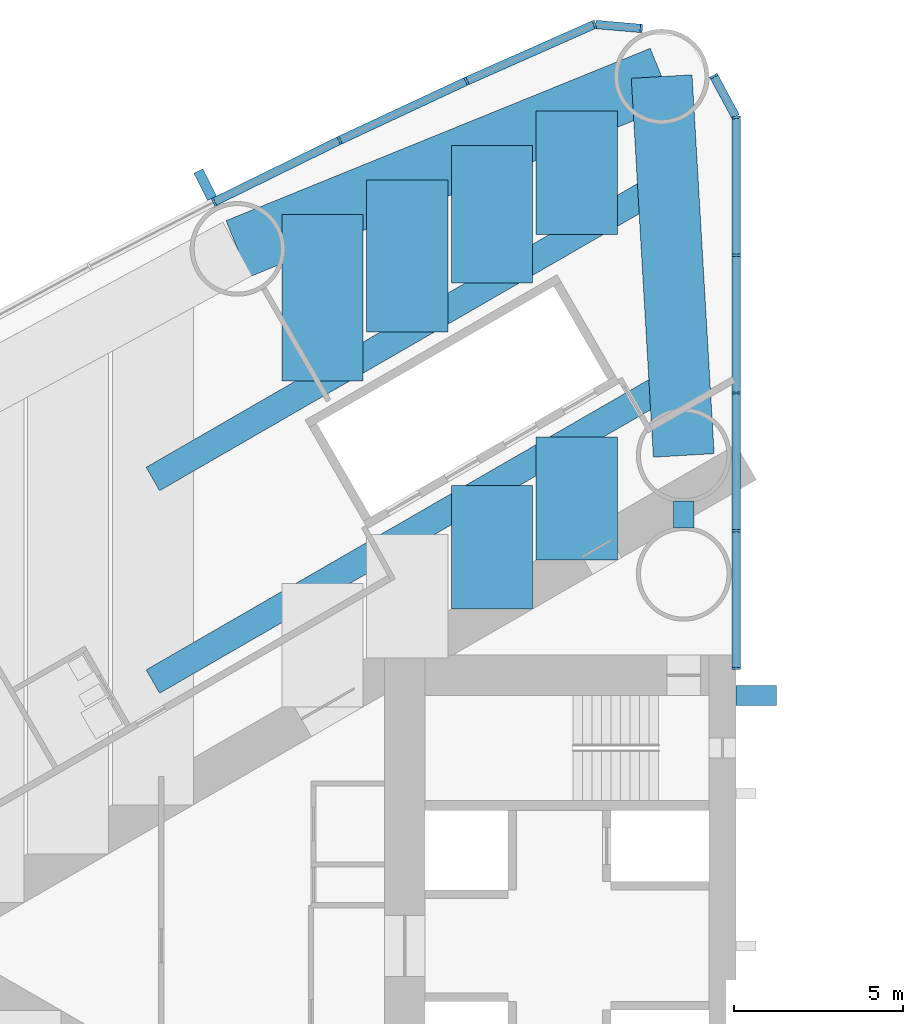
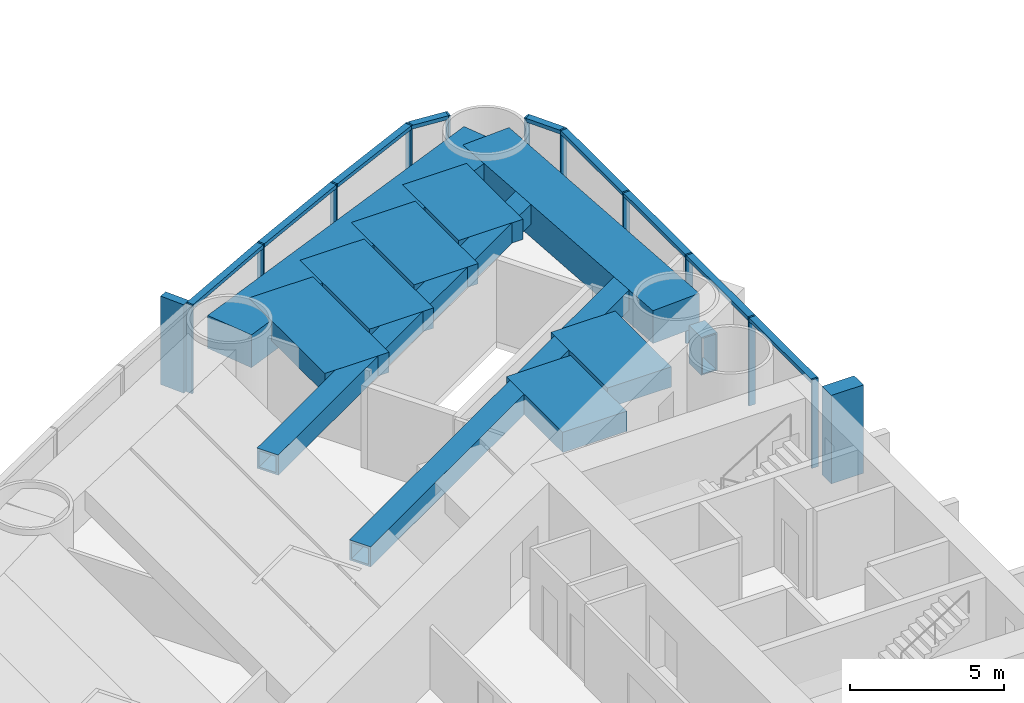
# One storey, part 5 of 18: 22 members, 11 beams, 2 elements without a shape of their own.
"""IFC4 building model written with IfcOpenShell, lengths in metres."""

from ifc_helpers import new_model, si_unit, direction, frame, origin, origin_2d, place, context, subcontext, project, spatial, rectangle, hollow_rectangle, extrude, material, material_profile, profile_set, type_object, element, aggregate, save


model = new_model("IFC4")

# Units and contexts
model_context = context("Model", 3, precision=1e-05, world=origin(), true_north=direction((0.0, 1.0)))
body_context = subcontext(model_context, "Body", "Model", "MODEL_VIEW")
ifc_project = project(units=[si_unit("LENGTHUNIT", "METRE"), si_unit("AREAUNIT", "SQUARE_METRE"), si_unit("VOLUMEUNIT", "CUBIC_METRE"), si_unit("PLANEANGLEUNIT", "RADIAN"), si_unit("MASSUNIT", "GRAM", prefix="KILO")], contexts=[model_context])

# Site, building, storey
site_placement = place(None, origin())
site = spatial("IfcSite", under=ifc_project, at=site_placement, CompositionType="ELEMENT")
building_placement = place(site_placement, origin())
building = spatial("IfcBuilding", under=site, at=building_placement, Name="Lancet Gate Hotel", CompositionType="ELEMENT")
storey_placement = place(building_placement, frame((0.0, 0.0, 56.5)))
storey = spatial("IfcBuildingStorey", under=building, at=storey_placement, Name="L14", CompositionType="ELEMENT", Elevation=56.5)

# Curtain wall, members
ifc_material_1 = material(Name="Aluminium curtain wall", Category="aluminium")
curtain_wall_type = type_object("IfcCurtainWallType", Name="Tower unitised curtain wall", PredefinedType="USERDEFINED", material=ifc_material_1)
curtain_wall_1_placement = place(storey_placement, origin())
curtain_wall_1 = element("IfcCurtainWall", 1, at=curtain_wall_1_placement, inside=storey, type_object=curtain_wall_type, Name="T1 L14 curtain wall 1", ObjectType="UNITISED CURTAIN WALL", PredefinedType="USERDEFINED")
ifc_material_2 = material(Name="Aluminium mullion", Category="aluminium")
ifc_material_profile_1 = material_profile(ifc_material_2, rectangle(XDim=0.06494140625, YDim=0.25, at=origin_2d()), Name="MULLION 65x250")
ifc_profile_set_1 = profile_set([ifc_material_profile_1], Name="Aluminium mullion")
member_type_1 = type_object("IfcMemberType", Name="Aluminium mullion 65x250", PredefinedType="MULLION", material=ifc_profile_set_1)
member_1_placement = place(storey_placement, frame((-27.5, 8.199951171875, 0.0), z_axis=(0.0, 0.0, 1.0), x_axis=(0.0, 1.0, 0.0)))
member_1 = element("IfcMember", 2, at=member_1_placement, type_object=member_type_1, Name="T1 L14 curtain wall 1 mullion 1", PredefinedType="MULLION", context=body_context, shape_type="SweptSolid", body=[
    extrude(rectangle(XDim=0.06494140625, YDim=0.25, at=origin_2d()), origin(), (0.0, 0.0, 1.0), 3.5),
])
member_2_placement = place(storey_placement, frame((-27.5, 12.272705078125, 0.0), z_axis=(0.0, 0.0, 1.0), x_axis=(0.0, 1.0, 0.0)))
member_2 = element("IfcMember", 3, at=member_2_placement, type_object=member_type_1, Name="T1 L14 curtain wall 1 mullion 2", PredefinedType="MULLION", context=body_context, shape_type="SweptSolid", body=[
    extrude(rectangle(XDim=0.06494140625, YDim=0.25, at=origin_2d()), origin(), (0.0, 0.0, 1.0), 3.5),
])
member_3_placement = place(storey_placement, frame((-27.5, 16.345703125, 0.0), z_axis=(0.0, 0.0, 1.0), x_axis=(0.0, 1.0, 0.0)))
member_3 = element("IfcMember", 4, at=member_3_placement, type_object=member_type_1, Name="T1 L14 curtain wall 1 mullion 3", PredefinedType="MULLION", context=body_context, shape_type="SweptSolid", body=[
    extrude(rectangle(XDim=0.06494140625, YDim=0.25, at=origin_2d()), origin(), (0.0, 0.0, 1.0), 3.5),
])
member_4_placement = place(storey_placement, frame((-27.5, 20.41845703125, 0.0), z_axis=(0.0, 0.0, 1.0), x_axis=(0.0, 1.0, 0.0)))
member_4 = element("IfcMember", 5, at=member_4_placement, type_object=member_type_1, Name="T1 L14 curtain wall 1 mullion 4", PredefinedType="MULLION", context=body_context, shape_type="SweptSolid", body=[
    extrude(rectangle(XDim=0.06494140625, YDim=0.25, at=origin_2d()), origin(), (0.0, 0.0, 1.0), 3.5),
])
member_5_placement = place(storey_placement, frame((-27.5, 24.4912109375, 0.0), z_axis=(0.0, 0.0, 1.0), x_axis=(-0.123482502544, 0.992346749662, 0.0)))
member_5 = element("IfcMember", 6, at=member_5_placement, type_object=member_type_1, Name="T1 L14 curtain wall 1 mullion 5", PredefinedType="MULLION", context=body_context, shape_type="SweptSolid", body=[
    extrude(rectangle(XDim=0.06494140625, YDim=0.25, at=origin_2d()), origin(), (0.0, 0.0, 1.0), 3.5),
])
member_6_placement = place(storey_placement, frame((-28.158935546875, 25.712890625, 0.0), z_axis=(0.0, 0.0, 1.0), x_axis=(-0.474631040972, 0.880184852714, 0.0)))
member_6 = element("IfcMember", 7, at=member_6_placement, type_object=member_type_1, Name="T1 L14 curtain wall 1 mullion 6", PredefinedType="MULLION", context=body_context, shape_type="SweptSolid", body=[
    extrude(rectangle(XDim=0.06494140625, YDim=0.25, at=origin_2d()), origin(), (0.0, 0.0, 1.0), 3.5),
])

curtain_wall_2_placement = place(storey_placement, origin())
curtain_wall_2 = element("IfcCurtainWall", 8, at=curtain_wall_2_placement, inside=storey, type_object=curtain_wall_type, Name="T1 L14 curtain wall 2", ObjectType="UNITISED CURTAIN WALL", PredefinedType="USERDEFINED")
member_7_placement = place(storey_placement, frame((-30.3046875, 27.124755859375, 0.0), z_axis=(0.0, 0.0, 1.0), x_axis=(-0.99620380374, 0.087051602022, 0.0)))
member_7 = element("IfcMember", 9, at=member_7_placement, type_object=member_type_1, Name="T1 L14 curtain wall 2 mullion 1", PredefinedType="MULLION", context=body_context, shape_type="SweptSolid", body=[
    extrude(rectangle(XDim=0.06494140625, YDim=0.25, at=origin_2d()), origin(), (0.0, 0.0, 1.0), 3.5),
])
member_8_placement = place(storey_placement, frame((-31.688720703125, 27.24560546875, 0.0), z_axis=(0.0, 0.0, 1.0), x_axis=(-0.957524354695, -0.288352406209, 0.0)))
member_8 = element("IfcMember", 10, at=member_8_placement, type_object=member_type_1, Name="T1 L14 curtain wall 2 mullion 2", PredefinedType="MULLION", context=body_context, shape_type="SweptSolid", body=[
    extrude(rectangle(XDim=0.06494140625, YDim=0.25, at=origin_2d()), origin(), (0.0, 0.0, 1.0), 3.5),
])
member_9_placement = place(storey_placement, frame((-35.473876953125, 25.568115234375, 0.0), z_axis=(0.0, 0.0, 1.0), x_axis=(-0.910219680212, -0.414125746308, 0.0)))
member_9 = element("IfcMember", 11, at=member_9_placement, type_object=member_type_1, Name="T1 L14 curtain wall 2 mullion 3", PredefinedType="MULLION", context=body_context, shape_type="SweptSolid", body=[
    extrude(rectangle(XDim=0.06494140625, YDim=0.25, at=origin_2d()), origin(), (0.0, 0.0, 1.0), 3.5),
])
member_10_placement = place(storey_placement, frame((-39.225341796875, 23.816650390625, 0.0), z_axis=(0.0, 0.0, 1.0), x_axis=(-0.901928838337, -0.431884672772, 0.0)))
member_10 = element("IfcMember", 12, at=member_10_placement, type_object=member_type_1, Name="T1 L14 curtain wall 2 mullion 4", PredefinedType="MULLION", context=body_context, shape_type="SweptSolid", body=[
    extrude(rectangle(XDim=0.06494140625, YDim=0.25, at=origin_2d()), origin(), (0.0, 0.0, 1.0), 3.5),
])
member_11_placement = place(storey_placement, frame((-42.94189453125, 21.991943359375, 0.0), z_axis=(0.0, 0.0, 1.0), x_axis=(-0.893291549794, -0.449477704748, 0.0)))
member_11 = element("IfcMember", 13, at=member_11_placement, type_object=member_type_1, Name="T1 L14 curtain wall 2 mullion 5", PredefinedType="MULLION", context=body_context, shape_type="SweptSolid", body=[
    extrude(rectangle(XDim=0.06494140625, YDim=0.25, at=origin_2d()), origin(), (0.0, 0.0, 1.0), 3.5),
])

# Member
ifc_material_3 = material(Name="Aluminium transom", Category="aluminium")
ifc_material_profile_2 = material_profile(ifc_material_3, rectangle(XDim=0.25, YDim=0.14990234375, at=origin_2d()), Name="TRANSOM 250x150")
ifc_profile_set_2 = profile_set([ifc_material_profile_2], Name="Aluminium transom")
member_type_2 = type_object("IfcMemberType", Name="Aluminium transom 250x150", PredefinedType="USERDEFINED", material=ifc_profile_set_2)
member_12_placement = place(storey_placement, frame((-27.5, 8.232421875, 3.425048828125), z_axis=(0.0, 1.0, 0.0), x_axis=(-1.0, 0.0, 0.0)))
member_12 = element("IfcMember", 14, at=member_12_placement, type_object=member_type_2, Name="T1 L14 curtain wall 1 transom 1", ObjectType="TRANSOM", PredefinedType="USERDEFINED", context=body_context, shape_type="SweptSolid", body=[
    extrude(rectangle(XDim=0.25, YDim=0.14990234375, at=origin_2d()), origin(), (0.0, 0.0, 1.0), 4.0078125),
])

member_13_placement = place(storey_placement, frame((-27.5, 12.30517578125, 3.425048828125), z_axis=(0.0, 1.0, 0.0), x_axis=(-1.0, 0.0, 0.0)))
member_13 = element("IfcMember", 15, at=member_13_placement, type_object=member_type_2, Name="T1 L14 curtain wall 1 transom 2", ObjectType="TRANSOM", PredefinedType="USERDEFINED", context=body_context, shape_type="SweptSolid", body=[
    extrude(rectangle(XDim=0.25, YDim=0.14990234375, at=origin_2d()), origin(), (0.0, 0.0, 1.0), 4.0078125),
])

member_14_placement = place(storey_placement, frame((-27.5, 16.378173828125, 3.425048828125), z_axis=(0.0, 1.0, 0.0), x_axis=(-1.0, 0.0, 0.0)))
member_14 = element("IfcMember", 16, at=member_14_placement, type_object=member_type_2, Name="T1 L14 curtain wall 1 transom 3", ObjectType="TRANSOM", PredefinedType="USERDEFINED", context=body_context, shape_type="SweptSolid", body=[
    extrude(rectangle(XDim=0.25, YDim=0.14990234375, at=origin_2d()), origin(), (0.0, 0.0, 1.0), 4.0078125),
])

member_15_placement = place(storey_placement, frame((-27.5, 20.450927734375, 3.425048828125), z_axis=(0.0, 1.0, 0.0), x_axis=(-1.0, 0.0, 0.0)))
member_15 = element("IfcMember", 17, at=member_15_placement, type_object=member_type_2, Name="T1 L14 curtain wall 1 transom 4", ObjectType="TRANSOM", PredefinedType="USERDEFINED", context=body_context, shape_type="SweptSolid", body=[
    extrude(rectangle(XDim=0.25, YDim=0.14990234375, at=origin_2d()), origin(), (0.0, 0.0, 1.0), 4.0078125),
])

member_16_placement = place(storey_placement, frame((-27.515380859375, 24.519775390625, 3.425048828125), z_axis=(-0.474605926905, 0.880198394765, 0.0), x_axis=(-0.880198394765, -0.474605926905, 0.0)))
member_16 = element("IfcMember", 18, at=member_16_placement, type_object=member_type_2, Name="T1 L14 curtain wall 1 transom 5", ObjectType="TRANSOM", PredefinedType="USERDEFINED", context=body_context, shape_type="SweptSolid", body=[
    extrude(rectangle(XDim=0.25, YDim=0.14990234375, at=origin_2d()), origin(), (0.0, 0.0, 1.0), 1.322998046875),
])

aggregate(curtain_wall_1, [member_1, member_2, member_3, member_4, member_5, member_6, member_12, member_13, member_14, member_15, member_16])

member_17_placement = place(storey_placement, frame((-30.337158203125, 27.127685546875, 3.425048828125), z_axis=(-0.99620591587, 0.087027427779, 0.0), x_axis=(-0.087027427779, -0.99620591587, 0.0)))
member_17 = element("IfcMember", 19, at=member_17_placement, type_object=member_type_2, Name="T1 L14 curtain wall 2 transom 1", ObjectType="TRANSOM", PredefinedType="USERDEFINED", context=body_context, shape_type="SweptSolid", body=[
    extrude(rectangle(XDim=0.25, YDim=0.14990234375, at=origin_2d()), origin(), (0.0, 0.0, 1.0), 1.32421875),
])

member_18_placement = place(storey_placement, frame((-31.71826171875, 27.232421875, 3.425048828125), z_axis=(-0.914248281954, -0.405154389022, 0.0), x_axis=(0.405154389022, -0.914248281954, 0.0)))
member_18 = element("IfcMember", 20, at=member_18_placement, type_object=member_type_2, Name="T1 L14 curtain wall 2 transom 2", ObjectType="TRANSOM", PredefinedType="USERDEFINED", context=body_context, shape_type="SweptSolid", body=[
    extrude(rectangle(XDim=0.25, YDim=0.14990234375, at=origin_2d()), origin(), (0.0, 0.0, 1.0), 4.0751953125),
])

member_19_placement = place(storey_placement, frame((-35.503173828125, 25.554443359375, 3.425048828125), z_axis=(-0.906109667261, -0.423042871228, 0.0), x_axis=(0.423042871228, -0.906109667261, 0.0)))
member_19 = element("IfcMember", 21, at=member_19_placement, type_object=member_type_2, Name="T1 L14 curtain wall 2 transom 3", ObjectType="TRANSOM", PredefinedType="USERDEFINED", context=body_context, shape_type="SweptSolid", body=[
    extrude(rectangle(XDim=0.25, YDim=0.14990234375, at=origin_2d()), origin(), (0.0, 0.0, 1.0), 4.075439453125),
])

member_20_placement = place(storey_placement, frame((-39.254638671875, 23.80224609375, 3.425048828125), z_axis=(-0.897662439958, -0.440683723194, 0.0), x_axis=(0.440683723194, -0.897662439958, 0.0)))
member_20 = element("IfcMember", 22, at=member_20_placement, type_object=member_type_2, Name="T1 L14 curtain wall 2 transom 4", ObjectType="TRANSOM", PredefinedType="USERDEFINED", context=body_context, shape_type="SweptSolid", body=[
    extrude(rectangle(XDim=0.25, YDim=0.14990234375, at=origin_2d()), origin(), (0.0, 0.0, 1.0), 4.0751953125),
])

# Beams
ifc_material_4 = material(Name="Concrete C50/60", Category="concrete")
ifc_material_profile_3 = material_profile(ifc_material_4, rectangle(XDim=1.800048828125, YDim=1.300048828125, at=origin_2d()), Name="RC 1800x1300")
ifc_profile_set_3 = profile_set([ifc_material_profile_3], Name="Concrete C50/60")
beam_type_1 = type_object("IfcBeamType", Name="Edge beam RC 1800x1300", PredefinedType="SPANDREL", material=ifc_profile_set_3)
beam_1_placement = place(storey_placement, frame((-29.703369140625, 25.70263671875, 2.60009765625), z_axis=(-0.926463236197, -0.376385270667, 0.0), x_axis=(0.376385270667, -0.926463236197, 0.0)))
element("IfcBeam", 23, at=beam_1_placement, inside=storey, type_object=beam_type_1, Name="T1 edge beam EB1 L14", PredefinedType="SPANDREL", context=body_context, shape_type="SweptSolid", body=[
    extrude(rectangle(XDim=1.800048828125, YDim=1.300048828125, at=origin_2d()), origin(), (0.0, 0.0, 1.0), 13.537353515625),
])
beam_2_placement = place(storey_placement, frame((-29.703369140625, 25.70263671875, 2.60009765625), z_axis=(0.058219521912, -0.998303805096, 0.0), x_axis=(0.998303805096, 0.058219521912, 0.0)))
element("IfcBeam", 24, at=beam_2_placement, inside=storey, type_object=beam_type_1, Name="T1 edge beam EB1 L14", PredefinedType="SPANDREL", context=body_context, shape_type="SweptSolid", body=[
    extrude(rectangle(XDim=1.800048828125, YDim=1.300048828125, at=origin_2d()), origin(), (0.0, 0.0, 1.0), 11.2216796875),
])

# Member
ifc_material_5 = material(Name="Concrete C60/75", Category="concrete")
ifc_material_profile_4 = material_profile(ifc_material_5, rectangle(XDim=0.60009765625, YDim=1.199951171875, at=origin_2d()), Name="FIN 600x1200")
ifc_profile_set_4 = profile_set([ifc_material_profile_4], Name="Concrete C60/75")
member_type_3 = type_object("IfcMemberType", Name="Exposed concrete buttress pilaster 600x1200", PredefinedType="USERDEFINED", material=ifc_profile_set_4)
member_21_placement = place(storey_placement, frame((-26.909912109375, 7.39990234375, 0.0), z_axis=(0.0, 0.0, 1.0), x_axis=(0.0, 1.0, 0.0)))
element("IfcMember", 25, at=member_21_placement, inside=storey, type_object=member_type_3, Name="T1 buttress pilaster S L14", ObjectType="FIN", PredefinedType="USERDEFINED", context=body_context, shape_type="SweptSolid", body=[
    extrude(rectangle(XDim=0.60009765625, YDim=1.199951171875, at=origin_2d()), origin(), (0.0, 0.0, 1.0), 3.5),
])

ifc_material_6 = material(Name="Precast concrete C50/60", Category="concrete")
ifc_material_profile_5 = material_profile(ifc_material_6, rectangle(XDim=0.300048828125, YDim=0.89990234375, at=origin_2d()), Name="FIN 300x900")
ifc_profile_set_5 = profile_set([ifc_material_profile_5], Name="Precast concrete C50/60")
member_type_4 = type_object("IfcMemberType", Name="Exposed concrete fin 300x900", PredefinedType="USERDEFINED", material=ifc_profile_set_5)
member_22_placement = place(storey_placement, frame((-43.200439453125, 22.505615234375, 0.0), z_axis=(0.0, 0.0, 1.0), x_axis=(-0.893291549794, -0.449477704748, 0.0)))
member_22 = element("IfcMember", 26, at=member_22_placement, type_object=member_type_4, Name="T1 L14 curtain wall 2 fin 5", ObjectType="FIN", PredefinedType="USERDEFINED", context=body_context, shape_type="SweptSolid", body=[
    extrude(rectangle(XDim=0.300048828125, YDim=0.89990234375, at=origin_2d()), origin(), (0.0, 0.0, 1.0), 3.5),
])

aggregate(curtain_wall_2, [member_7, member_8, member_9, member_10, member_11, member_22, member_17, member_18, member_19, member_20])

# Beams
ifc_material_7 = material(Name="Concrete C50/60", Category="concrete")
ifc_material_profile_6 = material_profile(ifc_material_7, rectangle(XDim=2.39990234375, YDim=0.800048828125, at=origin_2d()), Name="RC 2400x800")
ifc_profile_set_6 = profile_set([ifc_material_profile_6], Name="Concrete C50/60")
beam_type_2 = type_object("IfcBeamType", Name="Floor beam RC 2400x800", PredefinedType="BEAM", material=ifc_profile_set_6)
beam_3_placement = place(storey_placement, frame((-32.213623046875, 24.682861328125, 2.85009765625), z_axis=(0.0, -1.0, 0.0), x_axis=(1.0, 0.0, 0.0)))
element("IfcBeam", 27, at=beam_3_placement, inside=storey, type_object=beam_type_2, Name="T1 floor beam F02SA L14", PredefinedType="BEAM", context=body_context, shape_type="SweptSolid", body=[
    extrude(rectangle(XDim=2.39990234375, YDim=0.800048828125, at=origin_2d()), origin(), (0.0, 0.0, 1.0), 3.643798828125),
])
beam_4_placement = place(storey_placement, frame((-32.213623046875, 15.051025390625, 2.85009765625), z_axis=(0.0, -1.0, 0.0), x_axis=(1.0, 0.0, 0.0)))
element("IfcBeam", 28, at=beam_4_placement, inside=storey, type_object=beam_type_2, Name="T1 floor beam F02SB L14", PredefinedType="BEAM", context=body_context, shape_type="SweptSolid", body=[
    extrude(rectangle(XDim=2.39990234375, YDim=0.800048828125, at=origin_2d()), origin(), (0.0, 0.0, 1.0), 3.645751953125),
])
beam_5_placement = place(storey_placement, frame((-34.720458984375, 23.664306640625, 2.85009765625), z_axis=(0.0, -1.0, 0.0), x_axis=(1.0, 0.0, 0.0)))
element("IfcBeam", 29, at=beam_5_placement, inside=storey, type_object=beam_type_2, Name="T1 floor beam F04SA L14", PredefinedType="BEAM", context=body_context, shape_type="SweptSolid", body=[
    extrude(rectangle(XDim=2.39990234375, YDim=0.800048828125, at=origin_2d()), origin(), (0.0, 0.0, 1.0), 4.07275390625),
])
beam_6_placement = place(storey_placement, frame((-34.720458984375, 13.603759765625, 2.85009765625), z_axis=(0.0, -1.0, 0.0), x_axis=(1.0, 0.0, 0.0)))
element("IfcBeam", 30, at=beam_6_placement, inside=storey, type_object=beam_type_2, Name="T1 floor beam F04SB L14", PredefinedType="BEAM", context=body_context, shape_type="SweptSolid", body=[
    extrude(rectangle(XDim=2.39990234375, YDim=0.800048828125, at=origin_2d()), origin(), (0.0, 0.0, 1.0), 3.645751953125),
])
beam_7_placement = place(storey_placement, frame((-37.227294921875, 22.64599609375, 2.85009765625), z_axis=(0.0, -1.0, 0.0), x_axis=(1.0, 0.0, 0.0)))
element("IfcBeam", 31, at=beam_7_placement, inside=storey, type_object=beam_type_2, Name="T1 floor beam F05SA L14", PredefinedType="BEAM", context=body_context, shape_type="SweptSolid", body=[
    extrude(rectangle(XDim=2.39990234375, YDim=0.800048828125, at=origin_2d()), origin(), (0.0, 0.0, 1.0), 4.501953125),
])
beam_8_placement = place(storey_placement, frame((-39.734130859375, 21.627685546875, 2.85009765625), z_axis=(0.0, -1.0, 0.0), x_axis=(1.0, 0.0, 0.0)))
element("IfcBeam", 32, at=beam_8_placement, inside=storey, type_object=beam_type_2, Name="T1 floor beam F07SA L14", PredefinedType="BEAM", context=body_context, shape_type="SweptSolid", body=[
    extrude(rectangle(XDim=2.39990234375, YDim=0.800048828125, at=origin_2d()), origin(), (0.0, 0.0, 1.0), 4.93115234375),
])
ifc_material_8 = material(Name="Steel S460QL", Category="steel")
ifc_material_profile_7 = material_profile(ifc_material_8, hollow_rectangle(XDim=0.60009765625, YDim=1.5, WallThickness=0.050048828125, at=origin_2d()), Name="BOX 1500x600x50")
ifc_profile_set_7 = profile_set([ifc_material_profile_7], Name="Steel S460QL")
beam_type_3 = type_object("IfcBeamType", Name="Inner-face link beam BOX 1500x600x50", PredefinedType="BEAM", material=ifc_profile_set_7)
beam_9_placement = place(storey_placement, frame((-29.050048828125, 13.14990234375, 2.5), z_axis=(0.0, -1.0, 0.0), x_axis=(1.0, 0.0, 0.0)))
element("IfcBeam", 33, at=beam_9_placement, inside=storey, type_object=beam_type_3, Name="T1 inner-face link beam LK1 L14", PredefinedType="BEAM", context=body_context, shape_type="SweptSolid", body=[
    extrude(hollow_rectangle(XDim=0.60009765625, YDim=1.5, WallThickness=0.050048828125, at=origin_2d()), origin(), (0.0, 0.0, 1.0), 0.7998046875),
])
ifc_material_9 = material(Name="Steel S460QL", Category="steel")
ifc_material_profile_8 = material_profile(ifc_material_9, hollow_rectangle(XDim=0.800048828125, YDim=0.800048828125, WallThickness=0.080078125, at=origin_2d()), Name="BOX 800x800x80")
ifc_profile_set_8 = profile_set([ifc_material_profile_8], Name="Steel S460QL")
beam_type_4 = type_object("IfcBeamType", Name="Trimmer beam BOX 800x800x80", PredefinedType="BEAM", material=ifc_profile_set_8)
beam_10_placement = place(storey_placement, frame((-29.18408203125, 16.800537109375, 2.85009765625), z_axis=(-0.865998945969, -0.500045823481, 0.0), x_axis=(0.500045823481, -0.865998945969, 0.0)))
element("IfcBeam", 34, at=beam_10_placement, inside=storey, type_object=beam_type_4, Name="T1 trimmer beam TR01S L14", PredefinedType="BEAM", context=body_context, shape_type="SweptSolid", body=[
    extrude(hollow_rectangle(XDim=0.800048828125, YDim=0.800048828125, WallThickness=0.080078125, at=origin_2d()), origin(), (0.0, 0.0, 1.0), 17.971923828125),
])
beam_11_placement = place(storey_placement, frame((-29.52197265625, 22.59326171875, 2.85009765625), z_axis=(-0.866004054636, -0.500036975987, 0.0), x_axis=(0.500036975987, -0.866004054636, 0.0)))
element("IfcBeam", 35, at=beam_11_placement, inside=storey, type_object=beam_type_4, Name="T1 trimmer beam TR02S L14", PredefinedType="BEAM", context=body_context, shape_type="SweptSolid", body=[
    extrude(hollow_rectangle(XDim=0.800048828125, YDim=0.800048828125, WallThickness=0.080078125, at=origin_2d()), origin(), (0.0, 0.0, 1.0), 17.581787109375),
])

save(model, "model.ifc")
